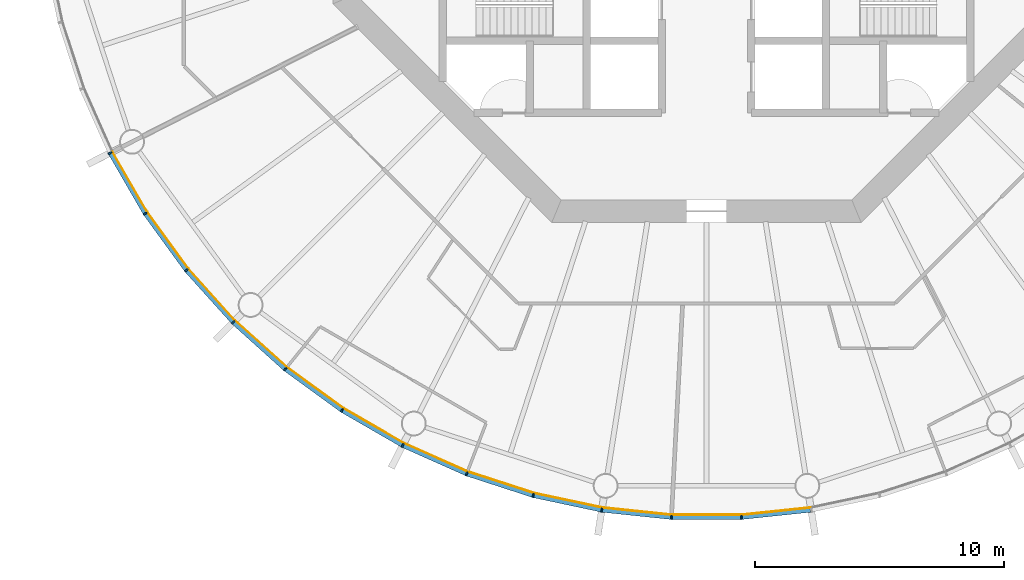
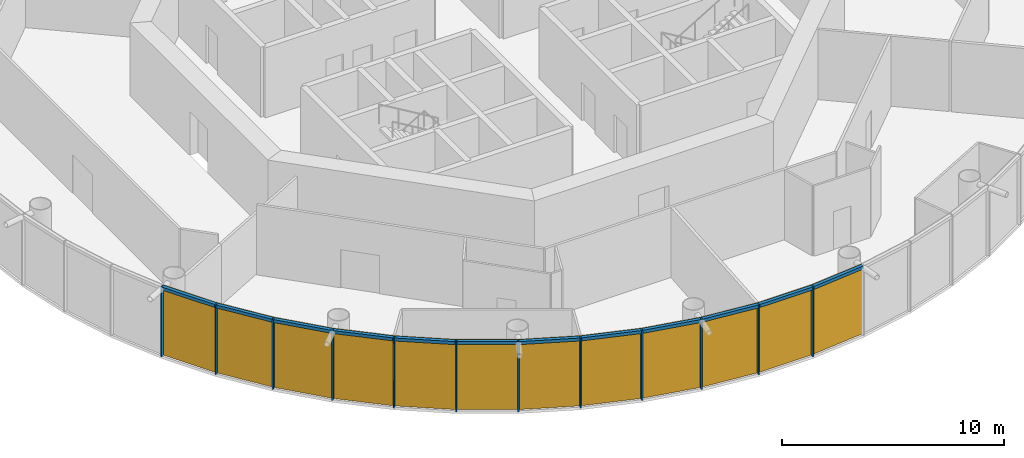
# One storey, part 7 of 13: 24 members, 4 curtain walls.
"""IFC4 building model written with IfcOpenShell, lengths in metres."""

from ifc_helpers import new_model, si_unit, direction, frame, origin, origin_2d, place, context, subcontext, project, spatial, polyline, rectangle, outline, extrude, material, layer, layer_set, material_profile, profile_set, type_object, element, aggregate, save


model = new_model("IFC4")

# Units and contexts
model_context = context("Model", 3, precision=1e-05, world=origin(), true_north=direction((0.0, 1.0)))
body_context = subcontext(model_context, "Body", "Model", "MODEL_VIEW")
ifc_project = project(units=[si_unit("LENGTHUNIT", "METRE"), si_unit("AREAUNIT", "SQUARE_METRE"), si_unit("VOLUMEUNIT", "CUBIC_METRE"), si_unit("PLANEANGLEUNIT", "RADIAN"), si_unit("MASSUNIT", "GRAM", prefix="KILO")], contexts=[model_context])

# Member
ifc_material_1 = material(Name="Anodised aluminium", Category="aluminium")
ifc_material_profile_1 = material_profile(ifc_material_1, rectangle(XDim=0.06005859375, YDim=0.169921875, at=origin_2d()), Name="Mullion 60 x 170 mm anodised aluminium")
ifc_profile_set_1 = profile_set([ifc_material_profile_1], Name="Anodised aluminium")
member_type_1 = type_object("IfcMemberType", Name="Mullion 60 x 170 mm anodised aluminium", PredefinedType="MULLION", material=ifc_profile_set_1)
site_placement = place(None, origin())
building_placement = place(site_placement, origin())
storey_placement = place(building_placement, frame((0.0, 0.0, 258.0)))
member_1_placement = place(storey_placement, frame((66.04541015625, 67.79443359375, 0.0), z_axis=(0.0, 0.0, 1.0), x_axis=(0.45399049974, -0.891006524188, 0.0)))
member_1 = element("IfcMember", 1, at=member_1_placement, type_object=member_type_1, Name="MULLION L59-33", PredefinedType="MULLION", context=body_context, shape_type="SweptSolid", body=[
    extrude(rectangle(XDim=0.06005859375, YDim=0.169921875, at=origin_2d()), origin(), (0.0, 0.0, 1.0), 3.85009765625),
])

member_2_placement = place(storey_placement, frame((67.452392578125, 65.357421875, 0.0), z_axis=(0.0, 0.0, 1.0), x_axis=(0.544639035015, -0.838670567945, 0.0)))
member_2 = element("IfcMember", 2, at=member_2_placement, type_object=member_type_1, Name="MULLION L59-34", PredefinedType="MULLION", context=body_context, shape_type="SweptSolid", body=[
    extrude(rectangle(XDim=0.06005859375, YDim=0.169921875, at=origin_2d()), origin(), (0.0, 0.0, 1.0), 3.85009765625),
])

member_3_placement = place(storey_placement, frame((69.1064453125, 63.080810546875, 0.0), z_axis=(0.0, 0.0, 1.0), x_axis=(0.62932039105, -0.777145961457, 0.0)))
member_3 = element("IfcMember", 3, at=member_3_placement, type_object=member_type_1, Name="MULLION L59-35", PredefinedType="MULLION", context=body_context, shape_type="SweptSolid", body=[
    extrude(rectangle(XDim=0.06005859375, YDim=0.169921875, at=origin_2d()), origin(), (0.0, 0.0, 1.0), 3.85009765625),
])

member_4_placement = place(storey_placement, frame((70.989501953125, 60.989501953125, 0.0), z_axis=(0.0, 0.0, 1.0), x_axis=(0.707106781187, -0.707106781187, 0.0)))
member_4 = element("IfcMember", 4, at=member_4_placement, type_object=member_type_1, Name="MULLION L59-36", PredefinedType="MULLION", context=body_context, shape_type="SweptSolid", body=[
    extrude(rectangle(XDim=0.06005859375, YDim=0.169921875, at=origin_2d()), origin(), (0.0, 0.0, 1.0), 3.85009765625),
])

member_5_placement = place(storey_placement, frame((73.080810546875, 59.1064453125, 0.0), z_axis=(0.0, 0.0, 1.0), x_axis=(0.777145961457, -0.62932039105, 0.0)))
member_5 = element("IfcMember", 5, at=member_5_placement, type_object=member_type_1, Name="MULLION L59-37", PredefinedType="MULLION", context=body_context, shape_type="SweptSolid", body=[
    extrude(rectangle(XDim=0.06005859375, YDim=0.169921875, at=origin_2d()), origin(), (0.0, 0.0, 1.0), 3.85009765625),
])

member_6_placement = place(storey_placement, frame((75.357421875, 57.452392578125, 0.0), z_axis=(0.0, 0.0, 1.0), x_axis=(0.838670567945, -0.544639035015, 0.0)))
member_6 = element("IfcMember", 6, at=member_6_placement, type_object=member_type_1, Name="MULLION L59-38", PredefinedType="MULLION", context=body_context, shape_type="SweptSolid", body=[
    extrude(rectangle(XDim=0.06005859375, YDim=0.169921875, at=origin_2d()), origin(), (0.0, 0.0, 1.0), 3.85009765625),
])

member_7_placement = place(storey_placement, frame((77.79443359375, 56.04541015625, 0.0), z_axis=(0.0, 0.0, 1.0), x_axis=(0.891006524188, -0.45399049974, 0.0)))
member_7 = element("IfcMember", 7, at=member_7_placement, type_object=member_type_1, Name="MULLION L59-39", PredefinedType="MULLION", context=body_context, shape_type="SweptSolid", body=[
    extrude(rectangle(XDim=0.06005859375, YDim=0.169921875, at=origin_2d()), origin(), (0.0, 0.0, 1.0), 3.85009765625),
])

member_8_placement = place(storey_placement, frame((80.365234375, 54.900634765625, 0.0), z_axis=(0.0, 0.0, 1.0), x_axis=(0.933580426497, -0.358367949545, 0.0)))
member_8 = element("IfcMember", 8, at=member_8_placement, type_object=member_type_1, Name="MULLION L59-40", PredefinedType="MULLION", context=body_context, shape_type="SweptSolid", body=[
    extrude(rectangle(XDim=0.06005859375, YDim=0.169921875, at=origin_2d()), origin(), (0.0, 0.0, 1.0), 3.85009765625),
])

member_9_placement = place(storey_placement, frame((83.041748046875, 54.031005859375, 0.0), z_axis=(0.0, 0.0, 1.0), x_axis=(0.965925826289, -0.258819045103, 0.0)))
member_9 = element("IfcMember", 9, at=member_9_placement, type_object=member_type_1, Name="MULLION L59-41", PredefinedType="MULLION", context=body_context, shape_type="SweptSolid", body=[
    extrude(rectangle(XDim=0.06005859375, YDim=0.169921875, at=origin_2d()), origin(), (0.0, 0.0, 1.0), 3.85009765625),
])

member_10_placement = place(storey_placement, frame((85.794189453125, 53.446044921875, 0.0), z_axis=(0.0, 0.0, 1.0), x_axis=(0.987688340595, -0.15643446504, 0.0)))
member_10 = element("IfcMember", 10, at=member_10_placement, type_object=member_type_1, Name="MULLION L59-42", PredefinedType="MULLION", context=body_context, shape_type="SweptSolid", body=[
    extrude(rectangle(XDim=0.06005859375, YDim=0.169921875, at=origin_2d()), origin(), (0.0, 0.0, 1.0), 3.85009765625),
])

member_11_placement = place(storey_placement, frame((88.593017578125, 53.15185546875, 0.0), z_axis=(0.0, 0.0, 1.0), x_axis=(0.998629534755, -0.052335956243, 0.0)))
member_11 = element("IfcMember", 11, at=member_11_placement, type_object=member_type_1, Name="MULLION L59-43", PredefinedType="MULLION", context=body_context, shape_type="SweptSolid", body=[
    extrude(rectangle(XDim=0.06005859375, YDim=0.169921875, at=origin_2d()), origin(), (0.0, 0.0, 1.0), 3.85009765625),
])

member_12_placement = place(storey_placement, frame((91.406982421875, 53.15185546875, 0.0), z_axis=(0.0, 0.0, 1.0), x_axis=(0.998629534755, 0.052335956243, 0.0)))
member_12 = element("IfcMember", 12, at=member_12_placement, type_object=member_type_1, Name="MULLION L59-44", PredefinedType="MULLION", context=body_context, shape_type="SweptSolid", body=[
    extrude(rectangle(XDim=0.06005859375, YDim=0.169921875, at=origin_2d()), origin(), (0.0, 0.0, 1.0), 3.85009765625),
])

ifc_material_2 = material(Name="Anodised aluminium", Category="aluminium")
ifc_material_profile_2 = material_profile(ifc_material_2, rectangle(XDim=0.169921875, YDim=0.1650390625, at=origin_2d()), Name="Transom 165 x 170 mm anodised aluminium")
ifc_profile_set_2 = profile_set([ifc_material_profile_2], Name="Anodised aluminium")
member_type_2 = type_object("IfcMemberType", Name="Transom 165 x 170 mm anodised aluminium", PredefinedType="USERDEFINED", material=ifc_profile_set_2)
member_13_placement = place(storey_placement, frame((66.0625, 67.7646484375, 3.767578125), z_axis=(0.49998419723, -0.866034527326, 0.0), x_axis=(0.866034527326, 0.49998419723, 0.0)))
member_13 = element("IfcMember", 13, at=member_13_placement, type_object=member_type_2, Name="TRANSOM L59-33", ObjectType="TRANSOM", PredefinedType="USERDEFINED", context=body_context, shape_type="SweptSolid", body=[
    extrude(rectangle(XDim=0.169921875, YDim=0.1650390625, at=origin_2d()), origin(), (0.0, 0.0, 1.0), 2.7451171875),
])

member_14_placement = place(storey_placement, frame((67.472412109375, 65.329345703125, 3.767578125), z_axis=(0.587864947412, -0.808959086484, 0.0), x_axis=(0.808959086484, 0.587864947412, 0.0)))
member_14 = element("IfcMember", 14, at=member_14_placement, type_object=member_type_2, Name="TRANSOM L59-34", ObjectType="TRANSOM", PredefinedType="USERDEFINED", context=body_context, shape_type="SweptSolid", body=[
    extrude(rectangle(XDim=0.169921875, YDim=0.1650390625, at=origin_2d()), origin(), (0.0, 0.0, 1.0), 2.7451171875),
])

member_15_placement = place(storey_placement, frame((69.12939453125, 63.054931640625, 3.767578125), z_axis=(0.669141598561, -0.743134927907, 0.0), x_axis=(0.743134927907, 0.669141598561, 0.0)))
member_15 = element("IfcMember", 15, at=member_15_placement, type_object=member_type_2, Name="TRANSOM L59-35", ObjectType="TRANSOM", PredefinedType="USERDEFINED", context=body_context, shape_type="SweptSolid", body=[
    extrude(rectangle(XDim=0.169921875, YDim=0.1650390625, at=origin_2d()), origin(), (0.0, 0.0, 1.0), 2.7451171875),
])

member_16_placement = place(storey_placement, frame((71.014892578125, 60.96630859375, 3.767578125), z_axis=(0.743134927907, -0.669141598561, 0.0), x_axis=(0.669141598561, 0.743134927907, 0.0)))
member_16 = element("IfcMember", 16, at=member_16_placement, type_object=member_type_2, Name="TRANSOM L59-36", ObjectType="TRANSOM", PredefinedType="USERDEFINED", context=body_context, shape_type="SweptSolid", body=[
    extrude(rectangle(XDim=0.169921875, YDim=0.1650390625, at=origin_2d()), origin(), (0.0, 0.0, 1.0), 2.7451171875),
])

member_17_placement = place(storey_placement, frame((73.108642578125, 59.086181640625, 3.767578125), z_axis=(0.808959086484, -0.587864947412, 0.0), x_axis=(0.587864947412, 0.808959086484, 0.0)))
member_17 = element("IfcMember", 17, at=member_17_placement, type_object=member_type_2, Name="TRANSOM L59-37", ObjectType="TRANSOM", PredefinedType="USERDEFINED", context=body_context, shape_type="SweptSolid", body=[
    extrude(rectangle(XDim=0.169921875, YDim=0.1650390625, at=origin_2d()), origin(), (0.0, 0.0, 1.0), 2.7451171875),
])

member_18_placement = place(storey_placement, frame((75.38720703125, 57.43505859375, 3.767578125), z_axis=(0.866034527326, -0.49998419723, 0.0), x_axis=(0.49998419723, 0.866034527326, 0.0)))
member_18 = element("IfcMember", 18, at=member_18_placement, type_object=member_type_2, Name="TRANSOM L59-38", ObjectType="TRANSOM", PredefinedType="USERDEFINED", context=body_context, shape_type="SweptSolid", body=[
    extrude(rectangle(XDim=0.169921875, YDim=0.1650390625, at=origin_2d()), origin(), (0.0, 0.0, 1.0), 2.7451171875),
])

member_19_placement = place(storey_placement, frame((77.825927734375, 56.03125, 3.767578125), z_axis=(0.913525267704, -0.406781987391, 0.0), x_axis=(0.406781987391, 0.913525267704, 0.0)))
member_19 = element("IfcMember", 19, at=member_19_placement, type_object=member_type_2, Name="TRANSOM L59-39", ObjectType="TRANSOM", PredefinedType="USERDEFINED", context=body_context, shape_type="SweptSolid", body=[
    extrude(rectangle(XDim=0.169921875, YDim=0.1650390625, at=origin_2d()), origin(), (0.0, 0.0, 1.0), 2.7451171875),
])

member_20_placement = place(storey_placement, frame((80.39794921875, 54.889892578125, 3.767578125), z_axis=(0.951048445774, -0.309041831781, 0.0), x_axis=(0.309041831781, 0.951048445774, 0.0)))
member_20 = element("IfcMember", 20, at=member_20_placement, type_object=member_type_2, Name="TRANSOM L59-40", ObjectType="TRANSOM", PredefinedType="USERDEFINED", context=body_context, shape_type="SweptSolid", body=[
    extrude(rectangle(XDim=0.169921875, YDim=0.1650390625, at=origin_2d()), origin(), (0.0, 0.0, 1.0), 2.7451171875),
])

member_21_placement = place(storey_placement, frame((83.075439453125, 54.02392578125, 3.767578125), z_axis=(0.97814212115, -0.207937468562, 0.0), x_axis=(0.207937468562, 0.97814212115, 0.0)))
member_21 = element("IfcMember", 21, at=member_21_placement, type_object=member_type_2, Name="TRANSOM L59-41", ObjectType="TRANSOM", PredefinedType="USERDEFINED", context=body_context, shape_type="SweptSolid", body=[
    extrude(rectangle(XDim=0.169921875, YDim=0.1650390625, at=origin_2d()), origin(), (0.0, 0.0, 1.0), 2.7451171875),
])

member_22_placement = place(storey_placement, frame((85.82861328125, 53.4423828125, 3.767578125), z_axis=(0.994515195344, -0.104592190102, 0.0), x_axis=(0.104592190102, 0.994515195344, 0.0)))
member_22 = element("IfcMember", 22, at=member_22_placement, type_object=member_type_2, Name="TRANSOM L59-42", ObjectType="TRANSOM", PredefinedType="USERDEFINED", context=body_context, shape_type="SweptSolid", body=[
    extrude(rectangle(XDim=0.169921875, YDim=0.1650390625, at=origin_2d()), origin(), (0.0, 0.0, 1.0), 2.7451171875),
])

member_23_placement = place(storey_placement, frame((88.62744140625, 53.151611328125, 3.767578125), z_axis=(1.0, 0.0, 0.0), x_axis=(0.0, 1.0, 0.0)))
member_23 = element("IfcMember", 23, at=member_23_placement, type_object=member_type_2, Name="TRANSOM L59-43", ObjectType="TRANSOM", PredefinedType="USERDEFINED", context=body_context, shape_type="SweptSolid", body=[
    extrude(rectangle(XDim=0.169921875, YDim=0.1650390625, at=origin_2d()), origin(), (0.0, 0.0, 1.0), 2.7451171875),
])

member_24_placement = place(storey_placement, frame((91.44140625, 53.1552734375, 3.767578125), z_axis=(0.994515195344, 0.104592190102, 0.0), x_axis=(-0.104592190102, 0.994515195344, 0.0)))
member_24 = element("IfcMember", 24, at=member_24_placement, type_object=member_type_2, Name="TRANSOM L59-44", ObjectType="TRANSOM", PredefinedType="USERDEFINED", context=body_context, shape_type="SweptSolid", body=[
    extrude(rectangle(XDim=0.169921875, YDim=0.1650390625, at=origin_2d()), origin(), (0.0, 0.0, 1.0), 2.7451171875),
])

# Site, building, storey
site = spatial("IfcSite", under=ifc_project, at=site_placement, CompositionType="ELEMENT")
building = spatial("IfcBuilding", under=site, at=building_placement, Name="Entoto Ring Tower", CompositionType="ELEMENT")
storey = spatial("IfcBuildingStorey", under=building, at=storey_placement, Name="L59", CompositionType="ELEMENT", Elevation=258.0)

# Curtain wall
ifc_material_3 = material(Name="Clear low-iron glass", Category="glass")
ifc_layer = layer(ifc_material_3, 0.031982421875)
ifc_layer_set = layer_set([ifc_layer], Name="Clear low-iron glass")
curtain_wall_type = type_object("IfcCurtainWallType", Name="Curtain wall system CW4 glazing 32 mm", PredefinedType="NOTDEFINED", material=ifc_layer_set)
curtain_wall_1_placement = place(storey_placement, origin())
curtain_wall_1 = element("IfcCurtainWall", 25, at=curtain_wall_1_placement, inside=storey, type_object=curtain_wall_type, Name="CW4 L59-12", PredefinedType="NOTDEFINED", context=body_context, shape_type="SweptSolid", body=[
    extrude(outline(polyline([(66.12109375, 67.8330078125), (67.523681640625, 65.403564453125), (69.172607421875, 63.13427734375), (71.049560546875, 61.049560546875), (71.072265625, 61.072265625), (69.197509765625, 63.154296875), (67.550537109375, 65.421142578125), (66.149658203125, 67.84765625), (66.12109375, 67.8330078125)])), origin(), (0.0, 0.0, 1.0), 3.85009765625),
])

aggregate(curtain_wall_1, [member_1, member_2, member_3, member_13, member_14, member_15])

curtain_wall_2_placement = place(storey_placement, origin())
curtain_wall_2 = element("IfcCurtainWall", 26, at=curtain_wall_2_placement, inside=storey, type_object=curtain_wall_type, Name="CW4 L59-13", PredefinedType="NOTDEFINED", context=body_context, shape_type="SweptSolid", body=[
    extrude(outline(polyline([(71.049560546875, 61.049560546875), (73.13427734375, 59.172607421875), (75.403564453125, 57.523681640625), (77.8330078125, 56.12109375), (77.84765625, 56.149658203125), (75.421142578125, 57.550537109375), (73.154296875, 59.197509765625), (71.072265625, 61.072265625), (71.049560546875, 61.049560546875)])), origin(), (0.0, 0.0, 1.0), 3.85009765625),
])

aggregate(curtain_wall_2, [member_4, member_5, member_6, member_16, member_17, member_18])

curtain_wall_3_placement = place(storey_placement, origin())
curtain_wall_3 = element("IfcCurtainWall", 27, at=curtain_wall_3_placement, inside=storey, type_object=curtain_wall_type, Name="CW4 L59-14", PredefinedType="NOTDEFINED", context=body_context, shape_type="SweptSolid", body=[
    extrude(outline(polyline([(77.8330078125, 56.12109375), (80.395751953125, 54.97998046875), (83.063720703125, 54.11328125), (85.8076171875, 53.530029296875), (85.8125, 53.5615234375), (83.072021484375, 54.14404296875), (80.4072265625, 55.010009765625), (77.84765625, 56.149658203125), (77.8330078125, 56.12109375)])), origin(), (0.0, 0.0, 1.0), 3.85009765625),
])

aggregate(curtain_wall_3, [member_7, member_8, member_9, member_19, member_20, member_21])

curtain_wall_4_placement = place(storey_placement, origin())
curtain_wall_4 = element("IfcCurtainWall", 28, at=curtain_wall_4_placement, inside=storey, type_object=curtain_wall_type, Name="CW4 L59-15", PredefinedType="NOTDEFINED", context=body_context, shape_type="SweptSolid", body=[
    extrude(outline(polyline([(85.8076171875, 53.530029296875), (88.597412109375, 53.23681640625), (91.402587890625, 53.23681640625), (94.1923828125, 53.530029296875), (94.1875, 53.5615234375), (91.40087890625, 53.268798828125), (88.59912109375, 53.268798828125), (85.8125, 53.5615234375), (85.8076171875, 53.530029296875)])), origin(), (0.0, 0.0, 1.0), 3.85009765625),
])

aggregate(curtain_wall_4, [member_10, member_11, member_12, member_22, member_23, member_24])

save(model, "model.ifc")
